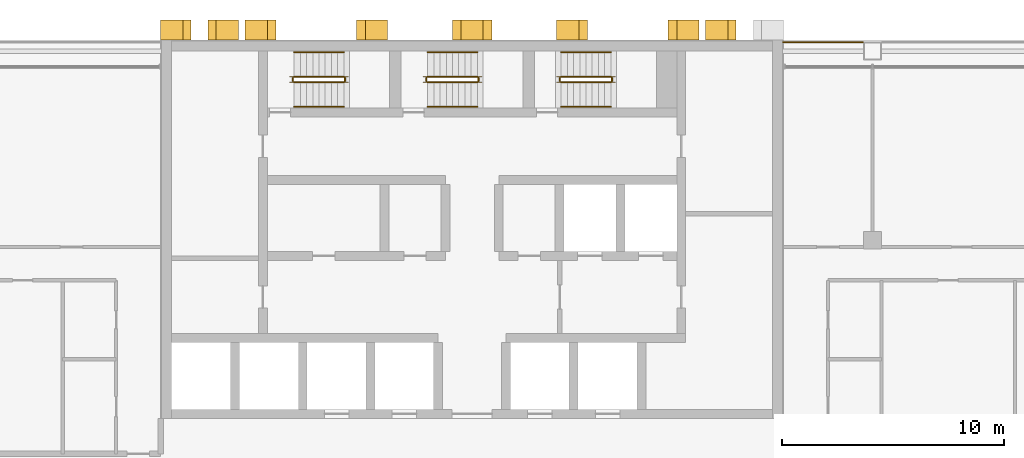
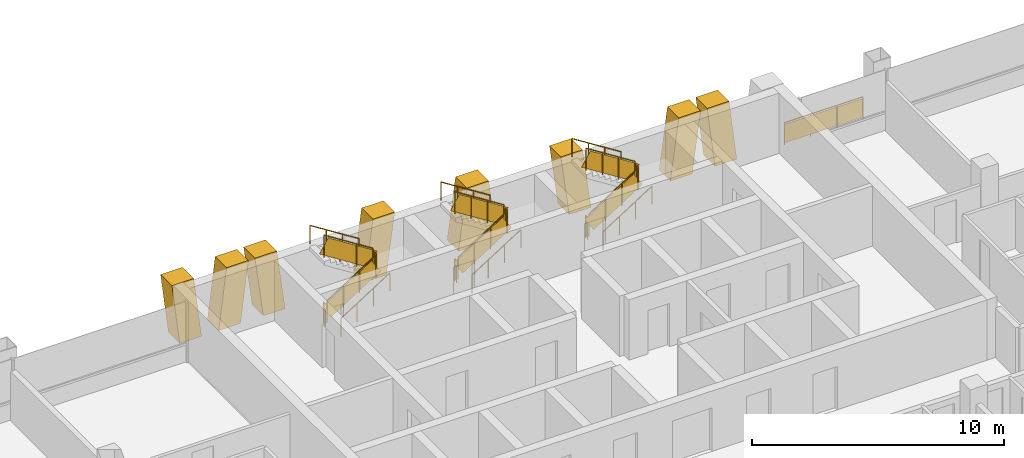
# One storey, part 16 of 17: 19 railings, 8 shading devices.
"""IFC4 building model written with IfcOpenShell, lengths in metres."""

from ifc_helpers import new_model, si_unit, direction, frame, origin, origin_2d, place, context, subcontext, project, spatial, polyline, rectangle, circle, outline, extrude, material, layer, layer_set, type_object, element, save


model = new_model("IFC4")

# Units and contexts
model_context = context("Model", 3, precision=1e-05, world=origin(), true_north=direction((0.0, 1.0)))
body_context = subcontext(model_context, "Body", "Model", "MODEL_VIEW")
ifc_project = project(units=[si_unit("LENGTHUNIT", "METRE"), si_unit("AREAUNIT", "SQUARE_METRE"), si_unit("VOLUMEUNIT", "CUBIC_METRE"), si_unit("PLANEANGLEUNIT", "RADIAN"), si_unit("MASSUNIT", "GRAM", prefix="KILO")], contexts=[model_context])

# Site, building, storey
site_placement = place(None, origin())
site = spatial("IfcSite", under=ifc_project, at=site_placement, CompositionType="ELEMENT")
building_placement = place(site_placement, origin())
building = spatial("IfcBuilding", under=site, at=building_placement, Name="Vidyagriha Tower", CompositionType="ELEMENT")
storey_placement = place(building_placement, frame((0.0, 0.0, 139.0)))
storey = spatial("IfcBuildingStorey", under=building, at=storey_placement, Name="L36", CompositionType="ELEMENT", Elevation=139.0)

# Shading devices
ifc_material_1 = material(Name="Precast concrete C40/50 with brick facing", Category="concrete")
ifc_layer_1 = layer(ifc_material_1, 1.0)
ifc_layer_set_1 = layer_set([ifc_layer_1], Name="Precast concrete C40/50 with brick facing")
shading_device_type_1 = type_object("IfcShadingDeviceType", Name="Brick-faced rear rib arm leaning 8 degrees", PredefinedType="USERDEFINED", material=ifc_layer_set_1)
shading_device_1_placement = place(storey_placement, frame((11.857177734375, 20.449951171875, 0.0), z_axis=(0.0, 0.0, 1.0), x_axis=(-1.0, 0.0, 0.0)))
element("IfcShadingDevice", 1, at=shading_device_1_placement, inside=storey, type_object=shading_device_type_1, Name="Rear rib arm L36 R08.1a", ObjectType="BLADE FIN", PredefinedType="USERDEFINED", context=body_context, shape_type="SweptSolid", body=[
    extrude(outline(polyline([(0.0, 0.0), (1.0, 0.0), (1.357177734375, 2.919921875), (0.357177734375, 2.919921875), (0.0, 0.0)])), frame((0.0, 0.449951171875, 0.0), z_axis=(0.0, -1.0, 0.0), x_axis=(1.0, 0.0, 0.0)), (0.0, 0.0, 1.0), 0.89990234375),
])
shading_device_2_placement = place(storey_placement, frame((5.185791015625, 20.449951171875, 0.0), z_axis=(0.0, 0.0, 1.0), x_axis=(-1.0, 0.0, 0.0)))
element("IfcShadingDevice", 2, at=shading_device_2_placement, inside=storey, type_object=shading_device_type_1, Name="Rear rib arm L36 R08.2a", ObjectType="BLADE FIN", PredefinedType="USERDEFINED", context=body_context, shape_type="SweptSolid", body=[
    extrude(outline(polyline([(0.0, 0.0), (1.0, 0.0), (1.3857421875, 2.919921875), (0.3857421875, 2.919921875), (0.0, 0.0)])), frame((0.0, 0.449951171875, 0.0), z_axis=(0.0, -1.0, 0.0), x_axis=(1.0, 0.0, 0.0)), (0.0, 0.0, 1.0), 0.89990234375),
])
shading_device_3_placement = place(storey_placement, frame((10.199951171875, 20.449951171875, 0.0), z_axis=(0.0, 0.0, 1.0), x_axis=(-1.0, 0.0, 0.0)))
element("IfcShadingDevice", 3, at=shading_device_3_placement, inside=storey, type_object=shading_device_type_1, Name="Rear rib arm L36 R08.2b", ObjectType="BLADE FIN", PredefinedType="USERDEFINED", context=body_context, shape_type="SweptSolid", body=[
    extrude(outline(polyline([(0.3857421875, 0.0), (1.3857421875, 0.0), (1.0, 2.919921875), (0.0, 2.919921875), (0.3857421875, 0.0)])), frame((0.0, 0.449951171875, 0.0), z_axis=(0.0, -1.0, 0.0), x_axis=(1.0, 0.0, 0.0)), (0.0, 0.0, 1.0), 0.89990234375),
])
shading_device_4_placement = place(storey_placement, frame((-8.814208984375, 20.449951171875, 0.0), z_axis=(0.0, 0.0, 1.0), x_axis=(-1.0, 0.0, 0.0)))
element("IfcShadingDevice", 4, at=shading_device_4_placement, inside=storey, type_object=shading_device_type_1, Name="Rear rib arm L36 R08.4a", ObjectType="BLADE FIN", PredefinedType="USERDEFINED", context=body_context, shape_type="SweptSolid", body=[
    extrude(outline(polyline([(0.0, 0.0), (1.0, 0.0), (1.3857421875, 2.919921875), (0.3857421875, 2.919921875), (0.0, 0.0)])), frame((0.0, 0.449951171875, 0.0), z_axis=(0.0, -1.0, 0.0), x_axis=(1.0, 0.0, 0.0)), (0.0, 0.0, 1.0), 0.89990234375),
])
shading_device_5_placement = place(storey_placement, frame((-3.800048828125, 20.449951171875, 0.0), z_axis=(0.0, 0.0, 1.0), x_axis=(-1.0, 0.0, 0.0)))
element("IfcShadingDevice", 5, at=shading_device_5_placement, inside=storey, type_object=shading_device_type_1, Name="Rear rib arm L36 R08.4b", ObjectType="BLADE FIN", PredefinedType="USERDEFINED", context=body_context, shape_type="SweptSolid", body=[
    extrude(outline(polyline([(0.3857421875, 0.0), (1.3857421875, 0.0), (1.0, 2.919921875), (0.0, 2.919921875), (0.3857421875, 0.0)])), frame((0.0, 0.449951171875, 0.0), z_axis=(0.0, -1.0, 0.0), x_axis=(1.0, 0.0, 0.0)), (0.0, 0.0, 1.0), 0.89990234375),
])
shading_device_6_placement = place(storey_placement, frame((-12.642822265625, 20.449951171875, 0.0), z_axis=(0.0, 0.0, 1.0), x_axis=(-1.0, 0.0, 0.0)))
element("IfcShadingDevice", 6, at=shading_device_6_placement, inside=storey, type_object=shading_device_type_1, Name="Rear rib arm L36 R08.5a", ObjectType="BLADE FIN", PredefinedType="USERDEFINED", context=body_context, shape_type="SweptSolid", body=[
    extrude(outline(polyline([(0.0, 0.0), (1.0, 0.0), (1.357177734375, 2.919921875), (0.357177734375, 2.919921875), (0.0, 0.0)])), frame((0.0, 0.449951171875, 0.0), z_axis=(0.0, -1.0, 0.0), x_axis=(1.0, 0.0, 0.0)), (0.0, 0.0, 1.0), 0.89990234375),
])
shading_device_7_placement = place(storey_placement, frame((-10.5, 20.449951171875, 0.0), z_axis=(0.0, 0.0, 1.0), x_axis=(-1.0, 0.0, 0.0)))
element("IfcShadingDevice", 7, at=shading_device_7_placement, inside=storey, type_object=shading_device_type_1, Name="Rear rib arm L36 R08.5b", ObjectType="BLADE FIN", PredefinedType="USERDEFINED", context=body_context, shape_type="SweptSolid", body=[
    extrude(outline(polyline([(0.357177734375, 0.0), (1.357177734375, 0.0), (1.0, 2.919921875), (0.0, 2.919921875), (0.357177734375, 0.0)])), frame((0.0, 0.449951171875, 0.0), z_axis=(0.0, -1.0, 0.0), x_axis=(1.0, 0.0, 0.0)), (0.0, 0.0, 1.0), 0.89990234375),
])
ifc_material_2 = material(Name="Precast concrete C40/50 with brick facing", Category="concrete")
ifc_layer_2 = layer(ifc_material_2, 1.0)
ifc_layer_set_2 = layer_set([ifc_layer_2], Name="Precast concrete C40/50 with brick facing")
shading_device_type_2 = type_object("IfcShadingDeviceType", Name="Brick-faced rear rib forking 8 degrees", PredefinedType="USERDEFINED", material=ifc_layer_set_2)
shading_device_8_placement = place(storey_placement, frame((0.8857421875, 20.449951171875, 0.0), z_axis=(0.0, 0.0, 1.0), x_axis=(-1.0, 0.0, 0.0)))
element("IfcShadingDevice", 8, at=shading_device_8_placement, inside=storey, type_object=shading_device_type_2, Name="Rear rib fork L36 R08.3a", ObjectType="BLADE FIN", PredefinedType="USERDEFINED", context=body_context, shape_type="SweptSolid", body=[
    extrude(outline(polyline([(0.0, 0.0), (1.771484375, 0.0), (1.3857421875, 2.919921875), (0.3857421875, 2.919921875), (0.0, 0.0)])), frame((0.0, 0.449951171875, 0.0), z_axis=(0.0, -1.0, 0.0), x_axis=(1.0, 0.0, 0.0)), (0.0, 0.0, 1.0), 0.89990234375),
])

# Railings
ifc_material_3 = material(Name="Steel ASTM A500 Grade C black painted", Category="steel")
railing_type_1 = type_object("IfcRailingType", Name="Gallery guard 1100", PredefinedType="GUARDRAIL", material=ifc_material_3)
railing_1_placement = place(storey_placement, frame((13.97998046875, 19.89990234375, 0.0)))
element("IfcRailing", 9, at=railing_1_placement, inside=storey, type_object=railing_type_1, Name="Gallery guard L36 9", PredefinedType="GUARDRAIL", context=body_context, shape_type="SweptSolid", body=[
    extrude(circle(Radius=0.02490234375, at=origin_2d()), frame((0.0, 0.0, 1.0751953125), z_axis=(1.0, 0.0, 0.0), x_axis=(0.0, 1.0, 0.0)), (0.0, 0.0, 1.0), 3.590087890625),
    extrude(circle(Radius=0.02001953125, at=origin_2d()), origin(), (0.0, 0.0, 1.0), 1.050048828125),
    extrude(circle(Radius=0.02001953125, at=origin_2d()), frame((1.19677734375, 0.0, 0.0)), (0.0, 0.0, 1.0), 1.050048828125),
    extrude(circle(Radius=0.02001953125, at=origin_2d()), frame((2.393310546875, 0.0, 0.0)), (0.0, 0.0, 1.0), 1.050048828125),
    extrude(circle(Radius=0.02001953125, at=origin_2d()), frame((3.590087890625, 0.0, 0.0)), (0.0, 0.0, 1.0), 1.050048828125),
    extrude(rectangle(XDim=0.010009765625, YDim=0.900146484375, at=origin_2d()), frame((0.0, 0.0, 0.550048828125), z_axis=(1.0, 0.0, 0.0), x_axis=(0.0, 1.0, 0.0)), (0.0, 0.0, 1.0), 3.590087890625),
])
ifc_material_4 = material(Name="Steel ASTM A500 Grade C", Category="steel")
railing_type_2 = type_object("IfcRailingType", Name="Stair guard 1100 mm, steel balustrade", PredefinedType="GUARDRAIL", material=ifc_material_4)
railing_2_placement = place(storey_placement, frame((-8.0, 18.10009765625, 0.177734375)))
element("IfcRailing", 10, at=railing_2_placement, inside=storey, type_object=railing_type_2, Name="L36 ST1 stair guard 1", PredefinedType="GUARDRAIL", context=body_context, shape_type="SweptSolid", body=[
    extrude(circle(Radius=0.02392578125, at=origin_2d()), frame((0.0, 0.0, 1.076171875), z_axis=(0.84418770128, 0.0, 0.536047689118), x_axis=(0.0, 1.0, 0.0)), (0.0, 0.0, 1.0), 2.6533203125),
    extrude(circle(Radius=0.02099609375, at=origin_2d()), origin(), (0.0, 0.0, 1.0), 1.052001953125),
    extrude(circle(Radius=0.02099609375, at=origin_2d()), frame((0.74658203125, 0.0, 0.47412109375)), (0.0, 0.0, 1.0), 1.052001953125),
    extrude(circle(Radius=0.02099609375, at=origin_2d()), frame((1.493408203125, 0.0, 0.9482421875)), (0.0, 0.0, 1.0), 1.052001953125),
    extrude(circle(Radius=0.02099609375, at=origin_2d()), frame((2.239990234375, 0.0, 1.42236328125)), (0.0, 0.0, 1.0), 1.052001953125),
    extrude(rectangle(XDim=0.010009765625, YDim=0.761474609375, at=origin_2d()), frame((0.0, 0.0, 0.551025390625), z_axis=(0.84418770128, 0.0, 0.536047689118), x_axis=(0.0, 1.0, 0.0)), (0.0, 0.0, 1.0), 2.6533203125),
])
railing_3_placement = place(storey_placement, frame((-5.7099609375, 18.14990234375, 1.60009765625)))
element("IfcRailing", 11, at=railing_3_placement, inside=storey, type_object=railing_type_2, Name="L36 ST1 stair guard 2", PredefinedType="GUARDRAIL", context=body_context, shape_type="SweptSolid", body=[
    extrude(circle(Radius=0.02392578125, at=origin_2d()), frame((0.0, 0.0, 1.076171875), z_axis=(0.0, 1.0, 0.0), x_axis=(-1.0, 0.0, 0.0)), (0.0, 0.0, 1.0), 0.150146484375),
    extrude(circle(Radius=0.02099609375, at=origin_2d()), origin(), (0.0, 0.0, 1.0), 1.052001953125),
    extrude(circle(Radius=0.02099609375, at=origin_2d()), frame((0.0, 0.150146484375, 0.0)), (0.0, 0.0, 1.0), 1.052001953125),
    extrude(rectangle(XDim=0.010009765625, YDim=0.902099609375, at=origin_2d()), frame((0.0, 0.0, 0.551025390625), z_axis=(0.0, 1.0, 0.0), x_axis=(-1.0, 0.0, 0.0)), (0.0, 0.0, 1.0), 0.150146484375),
])
railing_4_placement = place(storey_placement, frame((-5.760009765625, 18.35009765625, 1.77783203125)))
element("IfcRailing", 12, at=railing_4_placement, inside=storey, type_object=railing_type_2, Name="L36 ST1 stair guard 3", PredefinedType="GUARDRAIL", context=body_context, shape_type="SweptSolid", body=[
    extrude(circle(Radius=0.02392578125, at=origin_2d()), frame((0.0, 0.0, 1.076171875), z_axis=(-0.8442293374, 0.0, 0.53598211339), x_axis=(0.0, -1.0, 0.0)), (0.0, 0.0, 1.0), 2.6533203125),
    extrude(circle(Radius=0.02099609375, at=origin_2d()), origin(), (0.0, 0.0, 1.0), 1.052001953125),
    extrude(circle(Radius=0.02099609375, at=origin_2d()), frame((-0.74658203125, 0.0, 0.47412109375)), (0.0, 0.0, 1.0), 1.052001953125),
    extrude(circle(Radius=0.02099609375, at=origin_2d()), frame((-1.493408203125, 0.0, 0.947998046875)), (0.0, 0.0, 1.0), 1.052001953125),
    extrude(circle(Radius=0.02099609375, at=origin_2d()), frame((-2.239990234375, 0.0, 1.422119140625)), (0.0, 0.0, 1.0), 1.052001953125),
    extrude(rectangle(XDim=0.010009765625, YDim=0.761474609375, at=origin_2d()), frame((0.0, 0.0, 0.551025390625), z_axis=(-0.8442293374, 0.0, 0.53598211339), x_axis=(0.0, -1.0, 0.0)), (0.0, 0.0, 1.0), 2.6533203125),
])
railing_5_placement = place(storey_placement, frame((-8.050048828125, 18.14990234375, 0.0)))
element("IfcRailing", 13, at=railing_5_placement, inside=storey, type_object=railing_type_2, Name="L36 ST1 stair guard 4", PredefinedType="GUARDRAIL", context=body_context, shape_type="SweptSolid", body=[
    extrude(circle(Radius=0.02392578125, at=origin_2d()), frame((0.0, 0.0, 1.076171875), z_axis=(0.0, 1.0, 0.0), x_axis=(-1.0, 0.0, 0.0)), (0.0, 0.0, 1.0), 0.150146484375),
    extrude(circle(Radius=0.02099609375, at=origin_2d()), origin(), (0.0, 0.0, 1.0), 1.052001953125),
    extrude(circle(Radius=0.02099609375, at=origin_2d()), frame((0.0, 0.150146484375, 0.0)), (0.0, 0.0, 1.0), 1.052001953125),
    extrude(rectangle(XDim=0.010009765625, YDim=0.902099609375, at=origin_2d()), frame((0.0, 0.0, 0.551025390625), z_axis=(0.0, 1.0, 0.0), x_axis=(-1.0, 0.0, 0.0)), (0.0, 0.0, 1.0), 0.150146484375),
])
railing_6_placement = place(storey_placement, frame((-2.0, 18.10009765625, 0.177734375)))
element("IfcRailing", 14, at=railing_6_placement, inside=storey, type_object=railing_type_2, Name="L36 ST2 stair guard 1", PredefinedType="GUARDRAIL", context=body_context, shape_type="SweptSolid", body=[
    extrude(circle(Radius=0.02392578125, at=origin_2d()), frame((0.0, 0.0, 1.076171875), z_axis=(0.84418770128, 0.0, 0.536047689118), x_axis=(0.0, 1.0, 0.0)), (0.0, 0.0, 1.0), 2.6533203125),
    extrude(circle(Radius=0.02099609375, at=origin_2d()), origin(), (0.0, 0.0, 1.0), 1.052001953125),
    extrude(circle(Radius=0.02099609375, at=origin_2d()), frame((0.74658203125, 0.0, 0.47412109375)), (0.0, 0.0, 1.0), 1.052001953125),
    extrude(circle(Radius=0.02099609375, at=origin_2d()), frame((1.493408203125, 0.0, 0.9482421875)), (0.0, 0.0, 1.0), 1.052001953125),
    extrude(circle(Radius=0.02099609375, at=origin_2d()), frame((2.239990234375, 0.0, 1.42236328125)), (0.0, 0.0, 1.0), 1.052001953125),
    extrude(rectangle(XDim=0.010009765625, YDim=0.761474609375, at=origin_2d()), frame((0.0, 0.0, 0.551025390625), z_axis=(0.84418770128, 0.0, 0.536047689118), x_axis=(0.0, 1.0, 0.0)), (0.0, 0.0, 1.0), 2.6533203125),
])
railing_7_placement = place(storey_placement, frame((0.2900390625, 18.14990234375, 1.60009765625)))
element("IfcRailing", 15, at=railing_7_placement, inside=storey, type_object=railing_type_2, Name="L36 ST2 stair guard 2", PredefinedType="GUARDRAIL", context=body_context, shape_type="SweptSolid", body=[
    extrude(circle(Radius=0.02392578125, at=origin_2d()), frame((0.0, 0.0, 1.076171875), z_axis=(0.0, 1.0, 0.0), x_axis=(-1.0, 0.0, 0.0)), (0.0, 0.0, 1.0), 0.150146484375),
    extrude(circle(Radius=0.02099609375, at=origin_2d()), origin(), (0.0, 0.0, 1.0), 1.052001953125),
    extrude(circle(Radius=0.02099609375, at=origin_2d()), frame((0.0, 0.150146484375, 0.0)), (0.0, 0.0, 1.0), 1.052001953125),
    extrude(rectangle(XDim=0.010009765625, YDim=0.902099609375, at=origin_2d()), frame((0.0, 0.0, 0.551025390625), z_axis=(0.0, 1.0, 0.0), x_axis=(-1.0, 0.0, 0.0)), (0.0, 0.0, 1.0), 0.150146484375),
])
railing_8_placement = place(storey_placement, frame((0.239990234375, 18.35009765625, 1.77783203125)))
element("IfcRailing", 16, at=railing_8_placement, inside=storey, type_object=railing_type_2, Name="L36 ST2 stair guard 3", PredefinedType="GUARDRAIL", context=body_context, shape_type="SweptSolid", body=[
    extrude(circle(Radius=0.02392578125, at=origin_2d()), frame((0.0, 0.0, 1.076171875), z_axis=(-0.8442293374, 0.0, 0.53598211339), x_axis=(0.0, -1.0, 0.0)), (0.0, 0.0, 1.0), 2.6533203125),
    extrude(circle(Radius=0.02099609375, at=origin_2d()), origin(), (0.0, 0.0, 1.0), 1.052001953125),
    extrude(circle(Radius=0.02099609375, at=origin_2d()), frame((-0.74658203125, 0.0, 0.47412109375)), (0.0, 0.0, 1.0), 1.052001953125),
    extrude(circle(Radius=0.02099609375, at=origin_2d()), frame((-1.493408203125, 0.0, 0.947998046875)), (0.0, 0.0, 1.0), 1.052001953125),
    extrude(circle(Radius=0.02099609375, at=origin_2d()), frame((-2.239990234375, 0.0, 1.422119140625)), (0.0, 0.0, 1.0), 1.052001953125),
    extrude(rectangle(XDim=0.010009765625, YDim=0.761474609375, at=origin_2d()), frame((0.0, 0.0, 0.551025390625), z_axis=(-0.8442293374, 0.0, 0.53598211339), x_axis=(0.0, -1.0, 0.0)), (0.0, 0.0, 1.0), 2.6533203125),
])
railing_9_placement = place(storey_placement, frame((-2.050048828125, 18.14990234375, 0.0)))
element("IfcRailing", 17, at=railing_9_placement, inside=storey, type_object=railing_type_2, Name="L36 ST2 stair guard 4", PredefinedType="GUARDRAIL", context=body_context, shape_type="SweptSolid", body=[
    extrude(circle(Radius=0.02392578125, at=origin_2d()), frame((0.0, 0.0, 1.076171875), z_axis=(0.0, 1.0, 0.0), x_axis=(-1.0, 0.0, 0.0)), (0.0, 0.0, 1.0), 0.150146484375),
    extrude(circle(Radius=0.02099609375, at=origin_2d()), origin(), (0.0, 0.0, 1.0), 1.052001953125),
    extrude(circle(Radius=0.02099609375, at=origin_2d()), frame((0.0, 0.150146484375, 0.0)), (0.0, 0.0, 1.0), 1.052001953125),
    extrude(rectangle(XDim=0.010009765625, YDim=0.902099609375, at=origin_2d()), frame((0.0, 0.0, 0.551025390625), z_axis=(0.0, 1.0, 0.0), x_axis=(-1.0, 0.0, 0.0)), (0.0, 0.0, 1.0), 0.150146484375),
])
railing_10_placement = place(storey_placement, frame((4.0, 18.10009765625, 0.177734375)))
element("IfcRailing", 18, at=railing_10_placement, inside=storey, type_object=railing_type_2, Name="L36 ST3 stair guard 1", PredefinedType="GUARDRAIL", context=body_context, shape_type="SweptSolid", body=[
    extrude(circle(Radius=0.02392578125, at=origin_2d()), frame((0.0, 0.0, 1.076171875), z_axis=(0.84418770128, 0.0, 0.536047689118), x_axis=(0.0, 1.0, 0.0)), (0.0, 0.0, 1.0), 2.6533203125),
    extrude(circle(Radius=0.02099609375, at=origin_2d()), origin(), (0.0, 0.0, 1.0), 1.052001953125),
    extrude(circle(Radius=0.02099609375, at=origin_2d()), frame((0.74658203125, 0.0, 0.47412109375)), (0.0, 0.0, 1.0), 1.052001953125),
    extrude(circle(Radius=0.02099609375, at=origin_2d()), frame((1.493408203125, 0.0, 0.9482421875)), (0.0, 0.0, 1.0), 1.052001953125),
    extrude(circle(Radius=0.02099609375, at=origin_2d()), frame((2.239990234375, 0.0, 1.42236328125)), (0.0, 0.0, 1.0), 1.052001953125),
    extrude(rectangle(XDim=0.010009765625, YDim=0.761474609375, at=origin_2d()), frame((0.0, 0.0, 0.551025390625), z_axis=(0.84418770128, 0.0, 0.536047689118), x_axis=(0.0, 1.0, 0.0)), (0.0, 0.0, 1.0), 2.6533203125),
])
railing_11_placement = place(storey_placement, frame((6.2900390625, 18.14990234375, 1.60009765625)))
element("IfcRailing", 19, at=railing_11_placement, inside=storey, type_object=railing_type_2, Name="L36 ST3 stair guard 2", PredefinedType="GUARDRAIL", context=body_context, shape_type="SweptSolid", body=[
    extrude(circle(Radius=0.02392578125, at=origin_2d()), frame((0.0, 0.0, 1.076171875), z_axis=(0.0, 1.0, 0.0), x_axis=(-1.0, 0.0, 0.0)), (0.0, 0.0, 1.0), 0.150146484375),
    extrude(circle(Radius=0.02099609375, at=origin_2d()), origin(), (0.0, 0.0, 1.0), 1.052001953125),
    extrude(circle(Radius=0.02099609375, at=origin_2d()), frame((0.0, 0.150146484375, 0.0)), (0.0, 0.0, 1.0), 1.052001953125),
    extrude(rectangle(XDim=0.010009765625, YDim=0.902099609375, at=origin_2d()), frame((0.0, 0.0, 0.551025390625), z_axis=(0.0, 1.0, 0.0), x_axis=(-1.0, 0.0, 0.0)), (0.0, 0.0, 1.0), 0.150146484375),
])
railing_12_placement = place(storey_placement, frame((6.239990234375, 18.35009765625, 1.77783203125)))
element("IfcRailing", 20, at=railing_12_placement, inside=storey, type_object=railing_type_2, Name="L36 ST3 stair guard 3", PredefinedType="GUARDRAIL", context=body_context, shape_type="SweptSolid", body=[
    extrude(circle(Radius=0.02392578125, at=origin_2d()), frame((0.0, 0.0, 1.076171875), z_axis=(-0.8442293374, 0.0, 0.53598211339), x_axis=(0.0, -1.0, 0.0)), (0.0, 0.0, 1.0), 2.6533203125),
    extrude(circle(Radius=0.02099609375, at=origin_2d()), origin(), (0.0, 0.0, 1.0), 1.052001953125),
    extrude(circle(Radius=0.02099609375, at=origin_2d()), frame((-0.74658203125, 0.0, 0.47412109375)), (0.0, 0.0, 1.0), 1.052001953125),
    extrude(circle(Radius=0.02099609375, at=origin_2d()), frame((-1.493408203125, 0.0, 0.947998046875)), (0.0, 0.0, 1.0), 1.052001953125),
    extrude(circle(Radius=0.02099609375, at=origin_2d()), frame((-2.239990234375, 0.0, 1.422119140625)), (0.0, 0.0, 1.0), 1.052001953125),
    extrude(rectangle(XDim=0.010009765625, YDim=0.761474609375, at=origin_2d()), frame((0.0, 0.0, 0.551025390625), z_axis=(-0.8442293374, 0.0, 0.53598211339), x_axis=(0.0, -1.0, 0.0)), (0.0, 0.0, 1.0), 2.6533203125),
])
railing_13_placement = place(storey_placement, frame((3.949951171875, 18.14990234375, 0.0)))
element("IfcRailing", 21, at=railing_13_placement, inside=storey, type_object=railing_type_2, Name="L36 ST3 stair guard 4", PredefinedType="GUARDRAIL", context=body_context, shape_type="SweptSolid", body=[
    extrude(circle(Radius=0.02392578125, at=origin_2d()), frame((0.0, 0.0, 1.076171875), z_axis=(0.0, 1.0, 0.0), x_axis=(-1.0, 0.0, 0.0)), (0.0, 0.0, 1.0), 0.150146484375),
    extrude(circle(Radius=0.02099609375, at=origin_2d()), origin(), (0.0, 0.0, 1.0), 1.052001953125),
    extrude(circle(Radius=0.02099609375, at=origin_2d()), frame((0.0, 0.150146484375, 0.0)), (0.0, 0.0, 1.0), 1.052001953125),
    extrude(rectangle(XDim=0.010009765625, YDim=0.902099609375, at=origin_2d()), frame((0.0, 0.0, 0.551025390625), z_axis=(0.0, 1.0, 0.0), x_axis=(-1.0, 0.0, 0.0)), (0.0, 0.0, 1.0), 0.150146484375),
])
ifc_material_5 = material(Name="Steel ASTM A500 Grade C", Category="steel")
railing_type_3 = type_object("IfcRailingType", Name="Stair handrail 900 mm, steel", PredefinedType="HANDRAIL", material=ifc_material_5)
railing_14_placement = place(storey_placement, frame((-8.0, 17.0, 0.177734375)))
element("IfcRailing", 22, at=railing_14_placement, inside=storey, type_object=railing_type_3, Name="L36 ST1 stair handrail 1", PredefinedType="HANDRAIL", context=body_context, shape_type="SweptSolid", body=[
    extrude(circle(Radius=0.02392578125, at=origin_2d()), frame((0.0, 0.0, 0.8759765625), z_axis=(0.84418770128, 0.0, 0.536047689118), x_axis=(0.0, 1.0, 0.0)), (0.0, 0.0, 1.0), 2.6533203125),
    extrude(circle(Radius=0.02099609375, at=origin_2d()), origin(), (0.0, 0.0, 1.0), 0.851806640625),
    extrude(circle(Radius=0.02099609375, at=origin_2d()), frame((0.74658203125, 0.0, 0.47412109375)), (0.0, 0.0, 1.0), 0.851806640625),
    extrude(circle(Radius=0.02099609375, at=origin_2d()), frame((1.493408203125, 0.0, 0.9482421875)), (0.0, 0.0, 1.0), 0.851806640625),
    extrude(circle(Radius=0.02099609375, at=origin_2d()), frame((2.239990234375, 0.0, 1.42236328125)), (0.0, 0.0, 1.0), 0.851806640625),
])
railing_15_placement = place(storey_placement, frame((-5.760009765625, 19.449951171875, 1.77783203125)))
element("IfcRailing", 23, at=railing_15_placement, inside=storey, type_object=railing_type_3, Name="L36 ST1 stair handrail 2", PredefinedType="HANDRAIL", context=body_context, shape_type="SweptSolid", body=[
    extrude(circle(Radius=0.02392578125, at=origin_2d()), frame((0.0, 0.0, 0.8759765625), z_axis=(-0.8442293374, 0.0, 0.53598211339), x_axis=(0.0, -1.0, 0.0)), (0.0, 0.0, 1.0), 2.6533203125),
    extrude(circle(Radius=0.02099609375, at=origin_2d()), origin(), (0.0, 0.0, 1.0), 0.851806640625),
    extrude(circle(Radius=0.02099609375, at=origin_2d()), frame((-0.74658203125, 0.0, 0.47412109375)), (0.0, 0.0, 1.0), 0.851806640625),
    extrude(circle(Radius=0.02099609375, at=origin_2d()), frame((-1.493408203125, 0.0, 0.947998046875)), (0.0, 0.0, 1.0), 0.851806640625),
    extrude(circle(Radius=0.02099609375, at=origin_2d()), frame((-2.239990234375, 0.0, 1.422119140625)), (0.0, 0.0, 1.0), 0.851806640625),
])
railing_16_placement = place(storey_placement, frame((-2.0, 17.0, 0.177734375)))
element("IfcRailing", 24, at=railing_16_placement, inside=storey, type_object=railing_type_3, Name="L36 ST2 stair handrail 1", PredefinedType="HANDRAIL", context=body_context, shape_type="SweptSolid", body=[
    extrude(circle(Radius=0.02392578125, at=origin_2d()), frame((0.0, 0.0, 0.8759765625), z_axis=(0.84418770128, 0.0, 0.536047689118), x_axis=(0.0, 1.0, 0.0)), (0.0, 0.0, 1.0), 2.6533203125),
    extrude(circle(Radius=0.02099609375, at=origin_2d()), origin(), (0.0, 0.0, 1.0), 0.851806640625),
    extrude(circle(Radius=0.02099609375, at=origin_2d()), frame((0.74658203125, 0.0, 0.47412109375)), (0.0, 0.0, 1.0), 0.851806640625),
    extrude(circle(Radius=0.02099609375, at=origin_2d()), frame((1.493408203125, 0.0, 0.9482421875)), (0.0, 0.0, 1.0), 0.851806640625),
    extrude(circle(Radius=0.02099609375, at=origin_2d()), frame((2.239990234375, 0.0, 1.42236328125)), (0.0, 0.0, 1.0), 0.851806640625),
])
railing_17_placement = place(storey_placement, frame((0.239990234375, 19.449951171875, 1.77783203125)))
element("IfcRailing", 25, at=railing_17_placement, inside=storey, type_object=railing_type_3, Name="L36 ST2 stair handrail 2", PredefinedType="HANDRAIL", context=body_context, shape_type="SweptSolid", body=[
    extrude(circle(Radius=0.02392578125, at=origin_2d()), frame((0.0, 0.0, 0.8759765625), z_axis=(-0.8442293374, 0.0, 0.53598211339), x_axis=(0.0, -1.0, 0.0)), (0.0, 0.0, 1.0), 2.6533203125),
    extrude(circle(Radius=0.02099609375, at=origin_2d()), origin(), (0.0, 0.0, 1.0), 0.851806640625),
    extrude(circle(Radius=0.02099609375, at=origin_2d()), frame((-0.74658203125, 0.0, 0.47412109375)), (0.0, 0.0, 1.0), 0.851806640625),
    extrude(circle(Radius=0.02099609375, at=origin_2d()), frame((-1.493408203125, 0.0, 0.947998046875)), (0.0, 0.0, 1.0), 0.851806640625),
    extrude(circle(Radius=0.02099609375, at=origin_2d()), frame((-2.239990234375, 0.0, 1.422119140625)), (0.0, 0.0, 1.0), 0.851806640625),
])
railing_18_placement = place(storey_placement, frame((4.0, 17.0, 0.177734375)))
element("IfcRailing", 26, at=railing_18_placement, inside=storey, type_object=railing_type_3, Name="L36 ST3 stair handrail 1", PredefinedType="HANDRAIL", context=body_context, shape_type="SweptSolid", body=[
    extrude(circle(Radius=0.02392578125, at=origin_2d()), frame((0.0, 0.0, 0.8759765625), z_axis=(0.84418770128, 0.0, 0.536047689118), x_axis=(0.0, 1.0, 0.0)), (0.0, 0.0, 1.0), 2.6533203125),
    extrude(circle(Radius=0.02099609375, at=origin_2d()), origin(), (0.0, 0.0, 1.0), 0.851806640625),
    extrude(circle(Radius=0.02099609375, at=origin_2d()), frame((0.74658203125, 0.0, 0.47412109375)), (0.0, 0.0, 1.0), 0.851806640625),
    extrude(circle(Radius=0.02099609375, at=origin_2d()), frame((1.493408203125, 0.0, 0.9482421875)), (0.0, 0.0, 1.0), 0.851806640625),
    extrude(circle(Radius=0.02099609375, at=origin_2d()), frame((2.239990234375, 0.0, 1.42236328125)), (0.0, 0.0, 1.0), 0.851806640625),
])
railing_19_placement = place(storey_placement, frame((6.239990234375, 19.449951171875, 1.77783203125)))
element("IfcRailing", 27, at=railing_19_placement, inside=storey, type_object=railing_type_3, Name="L36 ST3 stair handrail 2", PredefinedType="HANDRAIL", context=body_context, shape_type="SweptSolid", body=[
    extrude(circle(Radius=0.02392578125, at=origin_2d()), frame((0.0, 0.0, 0.8759765625), z_axis=(-0.8442293374, 0.0, 0.53598211339), x_axis=(0.0, -1.0, 0.0)), (0.0, 0.0, 1.0), 2.6533203125),
    extrude(circle(Radius=0.02099609375, at=origin_2d()), origin(), (0.0, 0.0, 1.0), 0.851806640625),
    extrude(circle(Radius=0.02099609375, at=origin_2d()), frame((-0.74658203125, 0.0, 0.47412109375)), (0.0, 0.0, 1.0), 0.851806640625),
    extrude(circle(Radius=0.02099609375, at=origin_2d()), frame((-1.493408203125, 0.0, 0.947998046875)), (0.0, 0.0, 1.0), 0.851806640625),
    extrude(circle(Radius=0.02099609375, at=origin_2d()), frame((-2.239990234375, 0.0, 1.422119140625)), (0.0, 0.0, 1.0), 0.851806640625),
])

save(model, "model.ifc")
